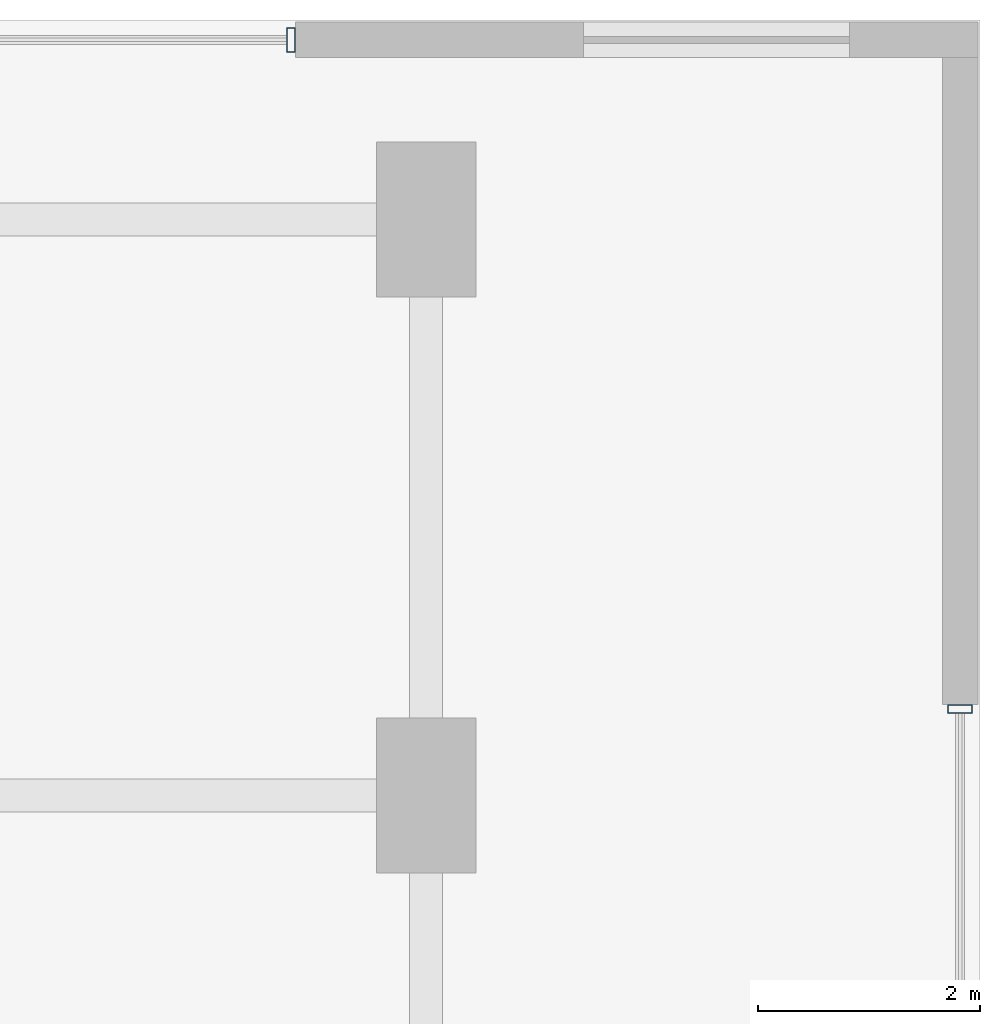
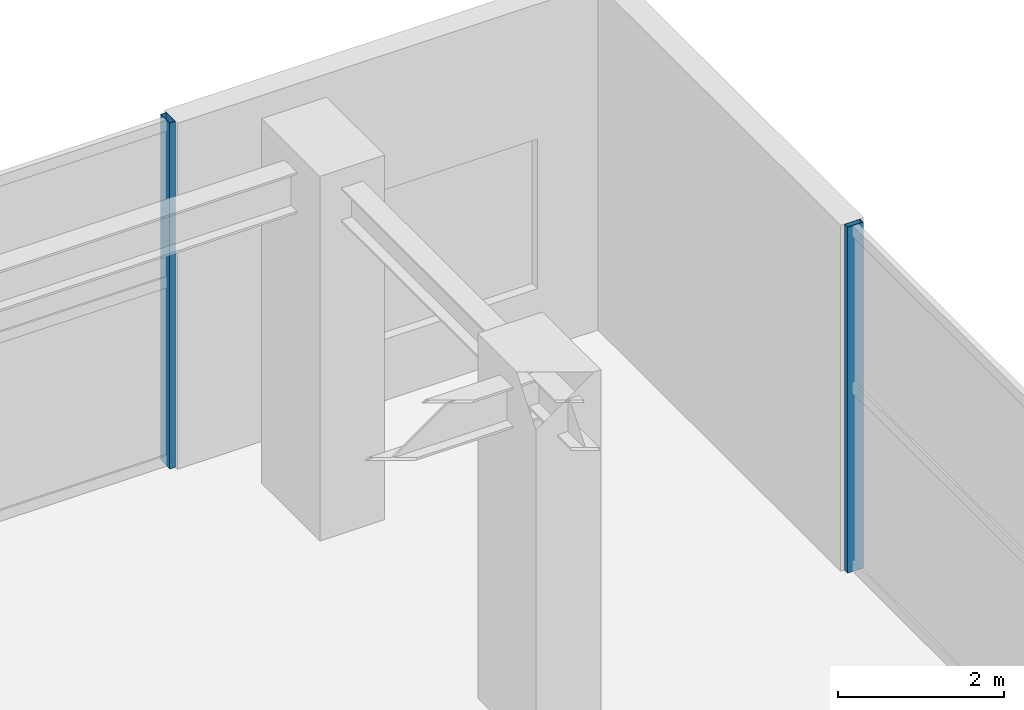
# One storey, part 25 of 32: 2 members, 2 elements without a shape of their own.
"""IFC4 building model written with IfcOpenShell, lengths in metres."""

from ifc_helpers import new_model, si_unit, direction, frame, origin, origin_2d, place, context, subcontext, project, spatial, hollow_rectangle, extrude, source, transform, mapped, material, material_profile, profile_set, type_object, element, aggregate, save


model = new_model("IFC4")

# Units and contexts
model_context = context("Model", 3, precision=1e-05, world=origin(), true_north=direction((0.0, 1.0)))
body_context = subcontext(model_context, "Body", "Model", "MODEL_VIEW")
ifc_project = project(units=[si_unit("LENGTHUNIT", "METRE"), si_unit("AREAUNIT", "SQUARE_METRE"), si_unit("VOLUMEUNIT", "CUBIC_METRE"), si_unit("PLANEANGLEUNIT", "RADIAN"), si_unit("MASSUNIT", "GRAM", prefix="KILO")], contexts=[model_context])

# Site, building, storey
site_placement = place(None, origin())
site = spatial("IfcSite", under=ifc_project, at=site_placement, CompositionType="ELEMENT")
building_placement = place(site_placement, origin())
building = spatial("IfcBuilding", under=site, at=building_placement, Name="Nahalor Promenade Grand Hotel", CompositionType="ELEMENT")
storey_placement = place(building_placement, frame((0.0, 0.0, 5.39990234375)))
storey = spatial("IfcBuildingStorey", under=building, at=storey_placement, Name="L01", CompositionType="ELEMENT", Elevation=5.39990234375)

# Curtain wall, member
ifc_material = material(Name="Anodised Bronze Aluminium EN AW-6063 T6", Category="aluminium")
curtain_wall_type = type_object("IfcCurtainWallType", Name="CW1 Waterfront Podium Bronze Arcade Curtain Wall", PredefinedType="USERDEFINED", material=ifc_material)
curtain_wall_1_placement = place(storey_placement, origin())
curtain_wall_1 = element("IfcCurtainWall", 1, at=curtain_wall_1_placement, inside=storey, type_object=curtain_wall_type, Name="L01 Curtain Wall CW-L01-N", ObjectType="UNITISED_CURTAIN_WALL", PredefinedType="USERDEFINED")
ifc_material_profile = material_profile(ifc_material, hollow_rectangle(XDim=0.08, YDim=0.22, WallThickness=0.005, at=origin_2d()), Name="CWM 80x220x5")
ifc_profile_set = profile_set([ifc_material_profile], Name="Anodised Bronze Aluminium EN AW-6063 T6")
member_type = type_object("IfcMemberType", Name="CWM1 Podium Bronze Mullion 80x220", PredefinedType="MULLION", material=ifc_profile_set)
shared_shape = source(origin(), body_context, "Body", "SweptSolid", [
    extrude(hollow_rectangle(XDim=0.08, YDim=0.22, WallThickness=0.005, at=origin_2d()), origin(), (0.0, 0.0, 1.0), 5.080078125),
])
member_1_placement = place(storey_placement, frame((31.780029296875, 23.820068359375, 0.0), z_axis=(0.0, 0.0, 1.0), x_axis=(1.0, 0.0, 0.0)))
member_1 = element("IfcMember", 2, at=member_1_placement, type_object=member_type, Name="CW-L01-N Mullion 6", PredefinedType="MULLION", context=body_context, shape_type="MappedRepresentation", body=[
    mapped(shared_shape, transform((0.0, 0.0, 0.0), scale=1.0)),
])
aggregate(curtain_wall_1, [member_1])

curtain_wall_2_placement = place(storey_placement, origin())
curtain_wall_2 = element("IfcCurtainWall", 3, at=curtain_wall_2_placement, inside=storey, type_object=curtain_wall_type, Name="L01 Curtain Wall CW-L01-E", ObjectType="UNITISED_CURTAIN_WALL", PredefinedType="USERDEFINED")
member_2_placement = place(storey_placement, frame((37.820068359375, 17.780029296875, 0.0), z_axis=(0.0, 0.0, 1.0), x_axis=(0.0, 1.0, 0.0)))
member_2 = element("IfcMember", 4, at=member_2_placement, type_object=member_type, Name="CW-L01-E Mullion 3", PredefinedType="MULLION", context=body_context, shape_type="MappedRepresentation", body=[
    mapped(shared_shape, transform((0.0, 0.0, 0.0), scale=1.0)),
])
aggregate(curtain_wall_2, [member_2])

save(model, "model.ifc")
